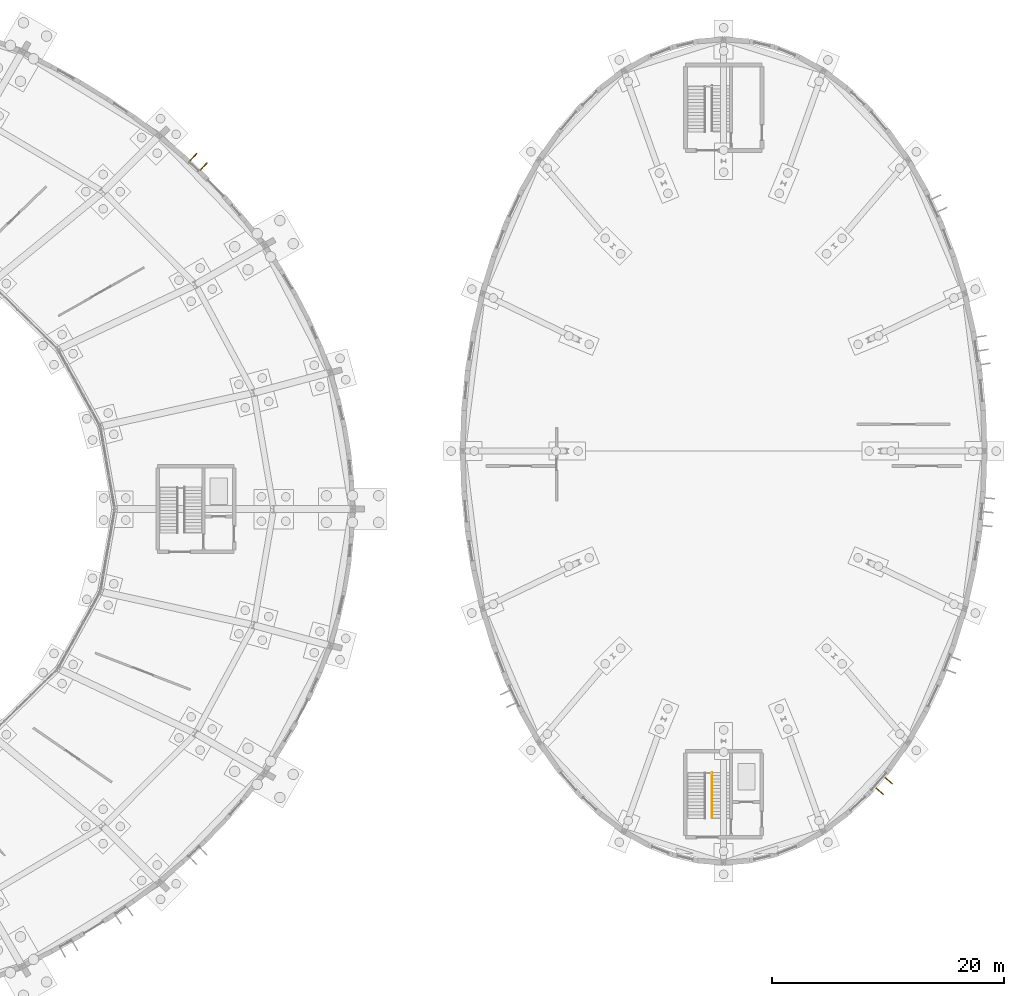
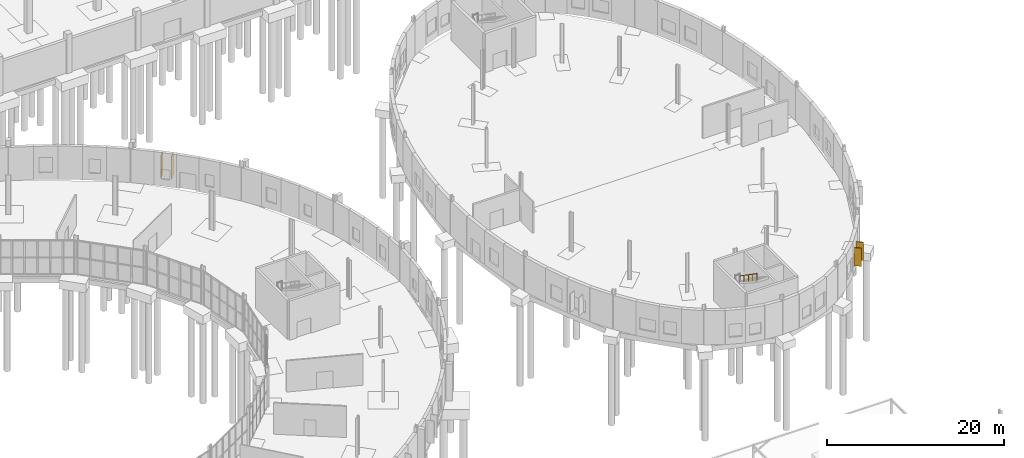
# One storey, part 114 of 118: 4 shading devices, 1 railing.
"""IFC4 building model written with IfcOpenShell, lengths in metres."""

from ifc_helpers import new_model, si_unit, direction, frame, origin, origin_2d, place, context, subcontext, project, spatial, rectangle, circle, extrude, material, layer, layer_set, type_object, element, save


model = new_model("IFC4")

# Units and contexts
model_context = context("Model", 3, precision=1e-05, world=origin(), true_north=direction((0.0, 1.0)))
body_context = subcontext(model_context, "Body", "Model", "MODEL_VIEW")
ifc_project = project(units=[si_unit("LENGTHUNIT", "METRE"), si_unit("AREAUNIT", "SQUARE_METRE"), si_unit("VOLUMEUNIT", "CUBIC_METRE"), si_unit("PLANEANGLEUNIT", "RADIAN"), si_unit("MASSUNIT", "GRAM", prefix="KILO")], contexts=[model_context])

# Site, building, storey
site_placement = place(None, origin())
site = spatial("IfcSite", under=ifc_project, at=site_placement, CompositionType="ELEMENT")
building_placement = place(site_placement, origin())
building = spatial("IfcBuilding", under=site, at=building_placement, Name="Kildeholm Park Wholesale Market", CompositionType="ELEMENT")
storey_placement = place(building_placement, origin())
storey = spatial("IfcBuildingStorey", under=building, at=storey_placement, Name="L00", CompositionType="ELEMENT", Elevation=0.0)

# Shading devices
ifc_material_1 = material(Name="Glazed ceramic and anodised aluminium brise-soleil", Category="aluminium")
ifc_layer_1 = layer(ifc_material_1, 0.080078125)
ifc_layer_set_1 = layer_set([ifc_layer_1], Name="Glazed ceramic and anodised aluminium brise-soleil")
shading_device_type_1 = type_object("IfcShadingDeviceType", Name="Brise-soleil solar fin SH-FIN1 850x80", PredefinedType="USERDEFINED", material=ifc_layer_set_1)
for number, where, z_axis, x_axis, name in (
    (1, (143.1748046875, 119.0419921875, 0.849853515625), (0.0, 0.0, 1.0), (0.68319730752, 0.730233824879, 0.0), "Brise-soleil fin V1-02-3.1 SHD-0003"),
    (2, (142.298583984375, 119.862060546875, 0.849853515625), (0.0, 0.0, 1.0), (0.68319730752, 0.730233824879, 0.0), "Brise-soleil fin V1-02-3.2 SHD-0004"),
):
    element("IfcShadingDevice", number, at=place(storey_placement, frame(where, z_axis=z_axis, x_axis=x_axis)), inside=storey, type_object=shading_device_type_1, Name=name, ObjectType="SOLAR FIN", PredefinedType="USERDEFINED", context=body_context, shape_type="SweptSolid", body=[
        extrude(rectangle(XDim=0.85009765625, YDim=0.080078125, at=origin_2d()), origin(), (0.0, 0.0, 1.0), 3.10009765625),
    ])
ifc_layer_2 = layer(ifc_material_1, 0.090087890625)
ifc_layer_set_2 = layer_set([ifc_layer_2], Name="Glazed ceramic and anodised aluminium brise-soleil")
shading_device_type_2 = type_object("IfcShadingDeviceType", Name="Brise-soleil solar fin SH-FIN2 850x90", PredefinedType="USERDEFINED", material=ifc_layer_set_2)
for number, where, z_axis, x_axis, name in (
    (3, (201.4501953125, 65.162841796875, 0.89990234375), (0.0, 0.0, 1.0), (0.759804884999, -0.650151164524, 0.0), "Brise-soleil fin V2-13.1 SHD-0062"),
    (4, (202.230224609375, 66.074462890625, 0.89990234375), (0.0, 0.0, 1.0), (0.759804884999, -0.650151164524, 0.0), "Brise-soleil fin V2-13.2 SHD-0063"),
):
    element("IfcShadingDevice", number, at=place(storey_placement, frame(where, z_axis=z_axis, x_axis=x_axis)), inside=storey, type_object=shading_device_type_2, Name=name, ObjectType="SOLAR FIN", PredefinedType="USERDEFINED", context=body_context, shape_type="SweptSolid", body=[
        extrude(rectangle(XDim=0.85009765625, YDim=0.090087890625, at=origin_2d()), origin(), (0.0, 0.0, 1.0), 2.5),
    ])

# Railing
ifc_material_2 = material(Name="Stainless steel AISI 316 handrail", Category="steel")
railing_type = type_object("IfcRailingType", Name="Stair flight handrail HR-IN1 900 mm", PredefinedType="HANDRAIL", material=ifc_material_2)
railing_placement = place(storey_placement, frame((187.010009765625, 66.800048828125, 2.699951171875)))
element("IfcRailing", 5, at=railing_placement, inside=storey, type_object=railing_type, Name="Stair C12 flight 2 handrail L00 RLG-0133", PredefinedType="HANDRAIL", context=body_context, shape_type="SweptSolid", body=[
    extrude(circle(Radius=0.02392578125, at=origin_2d()), frame((0.0, 0.0, 0.8759765625), z_axis=(0.0, -0.823567234665, 0.567218661528), x_axis=(1.0, 0.0, 0.0)), (0.0, 0.0, 1.0), 4.760009765625),
    extrude(circle(Radius=0.02099609375, at=origin_2d()), origin(), (0.0, 0.0, 1.0), 0.851806640625),
    extrude(circle(Radius=0.02099609375, at=origin_2d()), frame((0.0, -0.97998046875, 0.675048828125)), (0.0, 0.0, 1.0), 0.851806640625),
    extrude(circle(Radius=0.02099609375, at=origin_2d()), frame((0.0, -1.9599609375, 1.35009765625)), (0.0, 0.0, 1.0), 0.851806640625),
    extrude(circle(Radius=0.02099609375, at=origin_2d()), frame((0.0, -2.940185546875, 2.02490234375)), (0.0, 0.0, 1.0), 0.851806640625),
    extrude(circle(Radius=0.02099609375, at=origin_2d()), frame((0.0, -3.920166015625, 2.699951171875)), (0.0, 0.0, 1.0), 0.851806640625),
])

save(model, "model.ifc")
